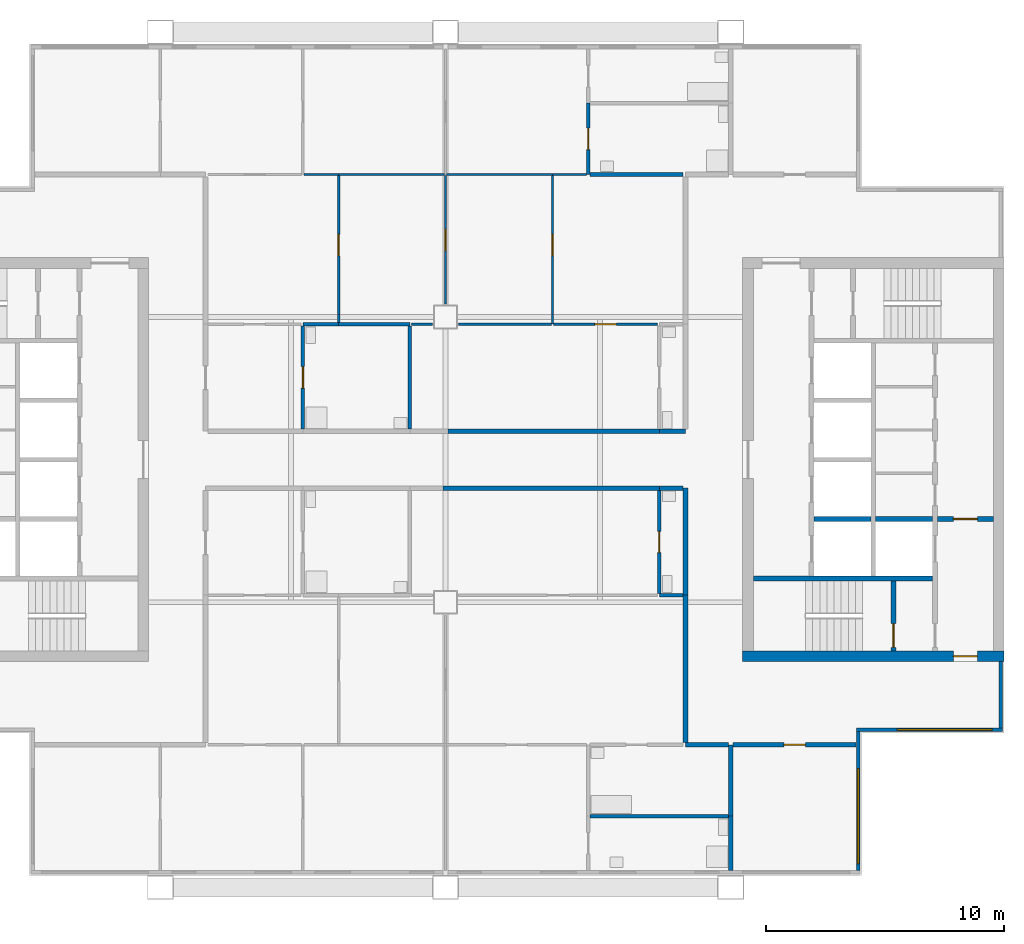
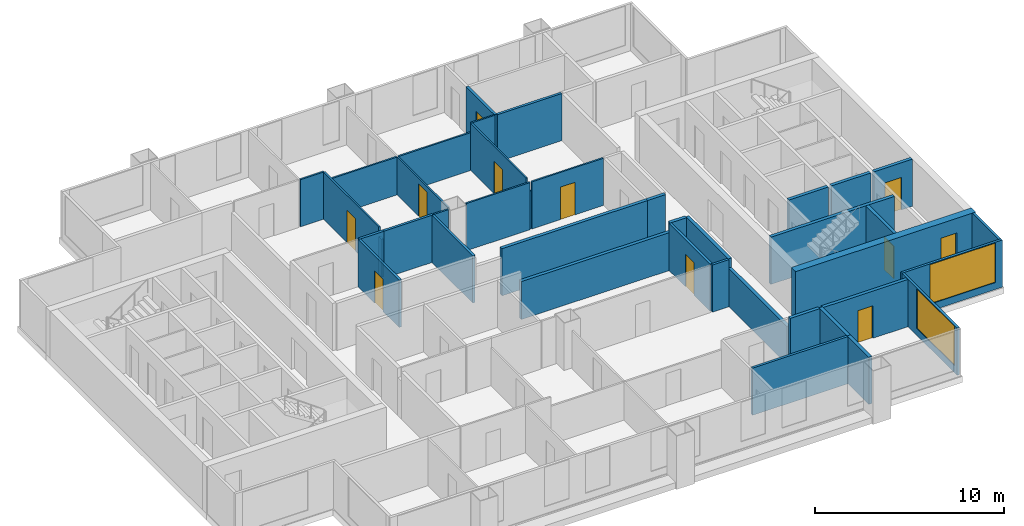
# One storey, part 4 of 8: 40 walls, 11 doors, 2 windows, 13 openings.
"""IFC4 building model written with IfcOpenShell, lengths in metres."""

from ifc_helpers import new_model, si_unit, direction, frame, frame_2d, origin, place, context, subcontext, project, spatial, rectangle, extrude, material, layer, layer_set, type_object, element, fill, save


model = new_model("IFC4")

# Units and contexts
model_context = context("Model", 3, precision=1e-05, world=origin(), true_north=direction((0.0, 1.0)))
body_context = subcontext(model_context, "Body", "Model", "MODEL_VIEW")
ifc_project = project(units=[si_unit("LENGTHUNIT", "METRE"), si_unit("AREAUNIT", "SQUARE_METRE"), si_unit("VOLUMEUNIT", "CUBIC_METRE"), si_unit("PLANEANGLEUNIT", "RADIAN"), si_unit("MASSUNIT", "GRAM", prefix="KILO")], contexts=[model_context])

# Site, building, storey
site_placement = place(None, origin())
site = spatial("IfcSite", under=ifc_project, at=site_placement, CompositionType="ELEMENT")
building_placement = place(site_placement, origin())
building = spatial("IfcBuilding", under=site, at=building_placement, Name="Kitamizu Gate Tower and Museum", CompositionType="ELEMENT")
storey_placement = place(building_placement, frame((0.0, 0.0, 231.75)))
storey = spatial("IfcBuildingStorey", under=building, at=storey_placement, Name="L62", CompositionType="ELEMENT", Elevation=231.75)

# Wall, opening, door
ifc_material_1 = material(Name="Concrete Fc42", Category="concrete")
ifc_layer_1 = layer(ifc_material_1, 0.449951171875)
ifc_layer_set_1 = layer_set([ifc_layer_1], Name="Concrete Fc42")
wall_type_1 = type_object("IfcWallType", Name="Core wall 450", PredefinedType="SHEAR", material=ifc_layer_set_1)
wall_1_placement = place(storey_placement, frame((59.5, 21.72509765625, 0.0), z_axis=(0.0, 0.0, 1.0), x_axis=(-1.0, 0.0, 0.0)))
wall_1 = element("IfcWall", 1, at=wall_1_placement, inside=storey, type_object=wall_type_1, Name="Core wall ES", PredefinedType="SHEAR", context=body_context, shape_type="SweptSolid", body=[
    extrude(rectangle(XDim=11.0, YDim=0.449951171875, at=frame_2d((5.5, 0.0))), origin(), (0.0, 0.0, 1.0), 3.050048828125),
])
opening_1_placement = place(wall_1_placement, frame((1.125, 0.0, 0.0)))
opening_1 = element("IfcOpeningElement", 2, at=opening_1_placement, cuts=wall_1, Name="Opening L62-047", PredefinedType="OPENING", context=body_context, shape_type="SweptSolid", body=[
    extrude(rectangle(XDim=1.0, YDim=2.10009765625, at=frame_2d((0.5, 1.050048828125))), frame((0.0, 0.23486328125, 0.0), z_axis=(0.0, -1.0, 0.0), x_axis=(1.0, 0.0, 0.0)), (0.0, 0.0, 1.0), 0.469970703125),
])
ifc_material_2 = material(Name="Hollow metal door set")
door_type_1 = type_object("IfcDoorType", Name="Fire door 1000", OperationType="NOTDEFINED", PredefinedType="DOOR", material=ifc_material_2)
door_1_placement = place(opening_1_placement, frame((1.0, 0.0, 0.0), x_axis=(-1.0, 0.0, 0.0)))
door_1 = element("IfcDoor", 3, at=door_1_placement, inside=storey, type_object=door_type_1, Name="Fire-fighting lobby door L62-047", OperationType="SINGLE_SWING_LEFT", OverallHeight=2.10009765625, OverallWidth=1.0, PredefinedType="DOOR", context=body_context, shape_type="SweptSolid", body=[
    extrude(rectangle(XDim=1.0, YDim=2.10009765625, at=frame_2d((0.5, 1.050048828125))), frame((0.0, 0.02490234375, 0.0), z_axis=(0.0, -1.0, 0.0), x_axis=(1.0, 0.0, 0.0)), (0.0, 0.0, 1.0), 0.050048828125),
])
fill(opening_1, door_1)

# Walls
ifc_material_3 = material(Name="Gypsum board on galvanised stud")
ifc_layer_2 = layer(ifc_material_3, 0.10009765625)
ifc_layer_set_2 = layer_set([ifc_layer_2], Name="Gypsum board on galvanised stud")
wall_type_2 = type_object("IfcWallType", Name="Partition 100 NOT RATED", PredefinedType="PARTITIONING", material=ifc_layer_set_2)
wall_2_placement = place(storey_placement, frame((30.050048828125, 42.0, 0.0), z_axis=(0.0, 0.0, 1.0), x_axis=(1.0, 0.0, 0.0)))
element("IfcWall", 4, at=wall_2_placement, inside=storey, type_object=wall_type_2, Name="Partition L62-044", PredefinedType="PARTITIONING", context=body_context, shape_type="SweptSolid", body=[
    extrude(rectangle(XDim=1.449951171875, YDim=0.10009765625, at=frame_2d((0.72509765625, 0.0))), origin(), (0.0, 0.0, 1.0), 3.050048828125),
])
for number, where, z_axis, x_axis, name in (
    (5, (31.5, 42.0, 0.0), (0.0, 0.0, 1.0), (1.0, 0.0, 0.0), "Partition L62-045"),
    (6, (36.050048828125, 42.0, 0.0), (0.0, 0.0, 1.0), (1.0, 0.0, 0.0), "Partition L62-048"),
):
    element("IfcWall", number, at=place(storey_placement, frame(where, z_axis=z_axis, x_axis=x_axis)), inside=storey, type_object=wall_type_2, Name=name, PredefinedType="PARTITIONING", context=body_context, shape_type="SweptSolid", body=[
        extrude(rectangle(XDim=4.449951171875, YDim=0.10009765625, at=frame_2d((2.22509765625, 0.0))), origin(), (0.0, 0.0, 1.0), 2.449951171875),
    ])
wall_3_placement = place(storey_placement, frame((40.5, 42.0, 0.0), z_axis=(0.0, 0.0, 1.0), x_axis=(1.0, 0.0, 0.0)))
element("IfcWall", 7, at=wall_3_placement, inside=storey, type_object=wall_type_2, Name="Partition L62-049", PredefinedType="PARTITIONING", context=body_context, shape_type="SweptSolid", body=[
    extrude(rectangle(XDim=1.425048828125, YDim=0.10009765625, at=frame_2d((0.71240234375, 0.0))), origin(), (0.0, 0.0, 1.0), 3.050048828125),
])
wall_4_placement = place(storey_placement, frame((31.5, 35.77490234375, 0.0), z_axis=(0.0, 0.0, 1.0), x_axis=(0.0, 1.0, 0.0)))
element("IfcWall", 8, at=wall_4_placement, inside=storey, type_object=wall_type_2, Name="Partition L62-055", PredefinedType="PARTITIONING", context=body_context, shape_type="SweptSolid", body=[
    extrude(rectangle(XDim=0.3251953125, YDim=0.10009765625, at=frame_2d((0.16259765625, 0.0))), origin(), (0.0, 0.0, 1.0), 2.449951171875),
])

# Wall, opening, door
wall_5_placement = place(storey_placement, frame((31.5, 36.10009765625, 0.0), z_axis=(0.0, 0.0, 1.0), x_axis=(0.0, 1.0, 0.0)))
wall_5 = element("IfcWall", 9, at=wall_5_placement, inside=storey, type_object=wall_type_2, Name="Partition L62-056", PredefinedType="PARTITIONING", context=body_context, shape_type="SweptSolid", body=[
    extrude(rectangle(XDim=5.849853515625, YDim=0.10009765625, at=frame_2d((2.9248046875, 0.0))), origin(), (0.0, 0.0, 1.0), 3.050048828125),
])
opening_2_placement = place(wall_5_placement, frame((2.47509765625, 0.0, 0.0)))
opening_2 = element("IfcOpeningElement", 10, at=opening_2_placement, cuts=wall_5, Name="Opening L62-022", PredefinedType="OPENING", context=body_context, shape_type="SweptSolid", body=[
    extrude(rectangle(XDim=0.89990234375, YDim=2.10009765625, at=frame_2d((0.449951171875, 1.050048828125))), frame((0.0, 0.06005859375, 0.0), z_axis=(0.0, -1.0, 0.0), x_axis=(1.0, 0.0, 0.0)), (0.0, 0.0, 1.0), 0.1201171875),
])
ifc_material_4 = material(Name="Timber door set", Category="wood")
door_type_2 = type_object("IfcDoorType", Name="Room door 900", OperationType="NOTDEFINED", PredefinedType="DOOR", material=ifc_material_4)
door_2_placement = place(opening_2_placement, frame((0.89990234375, 0.0, 0.0), x_axis=(-1.0, 0.0, 0.0)))
door_2 = element("IfcDoor", 11, at=door_2_placement, inside=storey, type_object=door_type_2, Name="Door L62-022", OperationType="SINGLE_SWING_RIGHT", OverallHeight=2.10009765625, OverallWidth=0.89990234375, PredefinedType="DOOR", context=body_context, shape_type="SweptSolid", body=[
    extrude(rectangle(XDim=0.89990234375, YDim=2.10009765625, at=frame_2d((0.449951171875, 1.050048828125))), frame((0.0, 0.02490234375, 0.0), z_axis=(0.0, -1.0, 0.0), x_axis=(1.0, 0.0, 0.0)), (0.0, 0.0, 1.0), 0.050048828125),
])
fill(opening_2, door_2)

wall_6_placement = place(storey_placement, frame((36.0, 36.550048828125, 0.0), z_axis=(0.0, 0.0, 1.0), x_axis=(0.0, 1.0, 0.0)))
wall_6 = element("IfcWall", 12, at=wall_6_placement, inside=storey, type_object=wall_type_2, Name="Partition L62-060", PredefinedType="PARTITIONING", context=body_context, shape_type="SweptSolid", body=[
    extrude(rectangle(XDim=5.39990234375, YDim=0.10009765625, at=frame_2d((2.699951171875, 0.0))), origin(), (0.0, 0.0, 1.0), 2.449951171875),
])
opening_3_placement = place(wall_6_placement, frame((2.25, 0.0, 0.0)))
opening_3 = element("IfcOpeningElement", 13, at=opening_3_placement, cuts=wall_6, Name="Opening L62-023", PredefinedType="OPENING", context=body_context, shape_type="SweptSolid", body=[
    extrude(rectangle(XDim=0.89990234375, YDim=2.10009765625, at=frame_2d((0.449951171875, 1.050048828125))), frame((0.0, 0.06005859375, 0.0), z_axis=(0.0, -1.0, 0.0), x_axis=(1.0, 0.0, 0.0)), (0.0, 0.0, 1.0), 0.1201171875),
])
door_3_placement = place(opening_3_placement, origin())
door_3 = element("IfcDoor", 14, at=door_3_placement, inside=storey, type_object=door_type_2, Name="Door L62-023", OperationType="SINGLE_SWING_RIGHT", OverallHeight=2.10009765625, OverallWidth=0.89990234375, PredefinedType="DOOR", context=body_context, shape_type="SweptSolid", body=[
    extrude(rectangle(XDim=0.89990234375, YDim=2.10009765625, at=frame_2d((0.449951171875, 1.050048828125))), frame((0.0, 0.02490234375, 0.0), z_axis=(0.0, -1.0, 0.0), x_axis=(1.0, 0.0, 0.0)), (0.0, 0.0, 1.0), 0.050048828125),
])
fill(opening_3, door_3)

# Walls
wall_7_placement = place(storey_placement, frame((34.574951171875, 35.699951171875, 0.0), z_axis=(0.0, 0.0, 1.0), x_axis=(1.0, 0.0, 0.0)))
element("IfcWall", 15, at=wall_7_placement, inside=storey, type_object=wall_type_2, Name="Partition L62-062", PredefinedType="PARTITIONING", context=body_context, shape_type="SweptSolid", body=[
    extrude(rectangle(XDim=0.875, YDim=0.10009765625, at=frame_2d((0.4375, 0.0))), origin(), (0.0, 0.0, 1.0), 3.050048828125),
])
wall_8_placement = place(storey_placement, frame((40.5, 35.699951171875, 0.0), z_axis=(0.0, 0.0, 1.0), x_axis=(0.0, 1.0, 0.0)))
element("IfcWall", 16, at=wall_8_placement, inside=storey, type_object=wall_type_2, Name="Partition L62-063", PredefinedType="PARTITIONING", context=body_context, shape_type="SweptSolid", body=[
    extrude(rectangle(XDim=0.400146484375, YDim=0.10009765625, at=frame_2d((0.2001953125, 0.0))), origin(), (0.0, 0.0, 1.0), 2.449951171875),
])

# Wall, opening, door
wall_9_placement = place(storey_placement, frame((40.5, 36.10009765625, 0.0), z_axis=(0.0, 0.0, 1.0), x_axis=(0.0, 1.0, 0.0)))
wall_9 = element("IfcWall", 17, at=wall_9_placement, inside=storey, type_object=wall_type_2, Name="Partition L62-064", PredefinedType="PARTITIONING", context=body_context, shape_type="SweptSolid", body=[
    extrude(rectangle(XDim=5.849853515625, YDim=0.10009765625, at=frame_2d((2.9248046875, 0.0))), origin(), (0.0, 0.0, 1.0), 3.050048828125),
])
opening_4_placement = place(wall_9_placement, frame((2.47509765625, 0.0, 0.0)))
opening_4 = element("IfcOpeningElement", 18, at=opening_4_placement, cuts=wall_9, Name="Opening L62-024", PredefinedType="OPENING", context=body_context, shape_type="SweptSolid", body=[
    extrude(rectangle(XDim=0.89990234375, YDim=2.10009765625, at=frame_2d((0.449951171875, 1.050048828125))), frame((0.0, 0.06005859375, 0.0), z_axis=(0.0, -1.0, 0.0), x_axis=(1.0, 0.0, 0.0)), (0.0, 0.0, 1.0), 0.1201171875),
])
door_4_placement = place(opening_4_placement, origin())
door_4 = element("IfcDoor", 19, at=door_4_placement, inside=storey, type_object=door_type_2, Name="Door L62-024", OperationType="SINGLE_SWING_LEFT", OverallHeight=2.10009765625, OverallWidth=0.89990234375, PredefinedType="DOOR", context=body_context, shape_type="SweptSolid", body=[
    extrude(rectangle(XDim=0.89990234375, YDim=2.10009765625, at=frame_2d((0.449951171875, 1.050048828125))), frame((0.0, 0.02490234375, 0.0), z_axis=(0.0, -1.0, 0.0), x_axis=(1.0, 0.0, 0.0)), (0.0, 0.0, 1.0), 0.050048828125),
])
fill(opening_4, door_4)

# Wall
wall_10_placement = place(storey_placement, frame((36.550048828125, 35.699951171875, 0.0), z_axis=(0.0, 0.0, 1.0), x_axis=(1.0, 0.0, 0.0)))
element("IfcWall", 20, at=wall_10_placement, inside=storey, type_object=wall_type_2, Name="Partition L62-065", PredefinedType="PARTITIONING", context=body_context, shape_type="SweptSolid", body=[
    extrude(rectangle(XDim=3.89990234375, YDim=0.10009765625, at=frame_2d((1.949951171875, 0.0))), origin(), (0.0, 0.0, 1.0), 3.050048828125),
])

# Wall, opening, door
wall_11_placement = place(storey_placement, frame((40.550048828125, 35.699951171875, 0.0), z_axis=(0.0, 0.0, 1.0), x_axis=(1.0, 0.0, 0.0)))
wall_11 = element("IfcWall", 21, at=wall_11_placement, inside=storey, type_object=wall_type_2, Name="Partition L62-066", PredefinedType="PARTITIONING", context=body_context, shape_type="SweptSolid", body=[
    extrude(rectangle(XDim=4.375, YDim=0.10009765625, at=frame_2d((2.1875, 0.0))), origin(), (0.0, 0.0, 1.0), 3.050048828125),
])
opening_5_placement = place(wall_11_placement, frame((1.737548828125, 0.0, 0.0)))
opening_5 = element("IfcOpeningElement", 22, at=opening_5_placement, cuts=wall_11, Name="Opening L62-025", PredefinedType="OPENING", context=body_context, shape_type="SweptSolid", body=[
    extrude(rectangle(XDim=0.89990234375, YDim=2.10009765625, at=frame_2d((0.449951171875, 1.050048828125))), frame((0.0, 0.06005859375, 0.0), z_axis=(0.0, -1.0, 0.0), x_axis=(1.0, 0.0, 0.0)), (0.0, 0.0, 1.0), 0.1201171875),
])
door_5_placement = place(opening_5_placement, origin())
door_5 = element("IfcDoor", 23, at=door_5_placement, inside=storey, type_object=door_type_2, Name="Door L62-025", OperationType="SINGLE_SWING_RIGHT", OverallHeight=2.10009765625, OverallWidth=0.89990234375, PredefinedType="DOOR", context=body_context, shape_type="SweptSolid", body=[
    extrude(rectangle(XDim=0.89990234375, YDim=2.10009765625, at=frame_2d((0.449951171875, 1.050048828125))), frame((0.0, 0.02490234375, 0.0), z_axis=(0.0, -1.0, 0.0), x_axis=(1.0, 0.0, 0.0)), (0.0, 0.0, 1.0), 0.050048828125),
])
fill(opening_5, door_5)

# Walls
ifc_material_5 = material(Name="Gypsum board on galvanised stud")
ifc_layer_3 = layer(ifc_material_5, 0.14990234375)
ifc_layer_set_3 = layer_set([ifc_layer_3], Name="Gypsum board on galvanised stud")
wall_type_3 = type_object("IfcWallType", Name="Partition 150", PredefinedType="PARTITIONING", material=ifc_layer_set_3)
wall_12_placement = place(storey_placement, frame((47.89990234375, 15.0, 0.0), z_axis=(0.0, 0.0, 1.0), x_axis=(-1.0, 0.0, 0.0)))
element("IfcWall", 24, at=wall_12_placement, inside=storey, type_object=wall_type_3, Name="Partition L62-012", PredefinedType="PARTITIONING", context=body_context, shape_type="SweptSolid", body=[
    extrude(rectangle(XDim=5.824951171875, YDim=0.14990234375, at=frame_2d((2.91259765625, 0.0))), origin(), (0.0, 0.0, 1.0), 3.050048828125),
])
wall_13_placement = place(storey_placement, frame((46.0, 24.300048828125, 0.0), z_axis=(0.0, 0.0, 1.0), x_axis=(-1.0, 0.0, 0.0)))
element("IfcWall", 25, at=wall_13_placement, inside=storey, type_object=wall_type_3, Name="Partition L62-026", PredefinedType="PARTITIONING", context=body_context, shape_type="SweptSolid", body=[
    extrude(rectangle(XDim=1.0, YDim=0.14990234375, at=frame_2d((0.5, 0.0))), origin(), (0.0, 0.0, 1.0), 3.050048828125),
])

# Wall, opening, door
wall_14_placement = place(storey_placement, frame((45.0, 24.375, 0.0), z_axis=(0.0, 0.0, 1.0), x_axis=(0.0, 1.0, 0.0)))
wall_14 = element("IfcWall", 26, at=wall_14_placement, inside=storey, type_object=wall_type_3, Name="Partition L62-033", PredefinedType="PARTITIONING", context=body_context, shape_type="SweptSolid", body=[
    extrude(rectangle(XDim=4.324951171875, YDim=0.14990234375, at=frame_2d((2.16259765625, 0.0))), origin(), (0.0, 0.0, 1.0), 3.050048828125),
])
opening_6_placement = place(wall_14_placement, frame((1.71240234375, 0.0, 0.0)))
opening_6 = element("IfcOpeningElement", 27, at=opening_6_placement, cuts=wall_14, Name="Opening L62-013", PredefinedType="OPENING", context=body_context, shape_type="SweptSolid", body=[
    extrude(rectangle(XDim=0.89990234375, YDim=2.10009765625, at=frame_2d((0.449951171875, 1.050048828125))), frame((0.0, 0.0849609375, 0.0), z_axis=(0.0, -1.0, 0.0), x_axis=(1.0, 0.0, 0.0)), (0.0, 0.0, 1.0), 0.169921875),
])
ifc_material_6 = material(Name="Timber door set", Category="wood")
door_type_3 = type_object("IfcDoorType", Name="Bathroom door 900", OperationType="NOTDEFINED", PredefinedType="DOOR", material=ifc_material_6)
door_6_placement = place(opening_6_placement, frame((0.89990234375, 0.0, 0.0), x_axis=(-1.0, 0.0, 0.0)))
door_6 = element("IfcDoor", 28, at=door_6_placement, inside=storey, type_object=door_type_3, Name="Bathroom door L62-013", OperationType="SINGLE_SWING_LEFT", OverallHeight=2.10009765625, OverallWidth=0.89990234375, PredefinedType="DOOR", context=body_context, shape_type="SweptSolid", body=[
    extrude(rectangle(XDim=0.89990234375, YDim=2.10009765625, at=frame_2d((0.449951171875, 1.050048828125))), frame((0.0, 0.02490234375, 0.0), z_axis=(0.0, -1.0, 0.0), x_axis=(1.0, 0.0, 0.0)), (0.0, 0.0, 1.0), 0.050048828125),
])
fill(opening_6, door_6)

wall_15_placement = place(storey_placement, frame((42.0, 42.0, 0.0), z_axis=(0.0, 0.0, 1.0), x_axis=(0.0, 1.0, 0.0)))
wall_15 = element("IfcWall", 29, at=wall_15_placement, inside=storey, type_object=wall_type_3, Name="Partition L62-046", PredefinedType="PARTITIONING", context=body_context, shape_type="SweptSolid", body=[
    extrude(rectangle(XDim=3.0, YDim=0.14990234375, at=frame_2d((1.5, 0.0))), origin(), (0.0, 0.0, 1.0), 3.050048828125),
])
opening_7_placement = place(wall_15_placement, frame((1.050048828125, 0.0, 0.0)))
opening_7 = element("IfcOpeningElement", 30, at=opening_7_placement, cuts=wall_15, Name="Opening L62-020", PredefinedType="OPENING", context=body_context, shape_type="SweptSolid", body=[
    extrude(rectangle(XDim=0.89990234375, YDim=2.10009765625, at=frame_2d((0.449951171875, 1.050048828125))), frame((0.0, 0.0849609375, 0.0), z_axis=(0.0, -1.0, 0.0), x_axis=(1.0, 0.0, 0.0)), (0.0, 0.0, 1.0), 0.169921875),
])
door_7_placement = place(opening_7_placement, frame((0.89990234375, 0.0, 0.0), x_axis=(-1.0, 0.0, 0.0)))
door_7 = element("IfcDoor", 31, at=door_7_placement, inside=storey, type_object=door_type_3, Name="Bathroom door L62-020", OperationType="SINGLE_SWING_RIGHT", OverallHeight=2.10009765625, OverallWidth=0.89990234375, PredefinedType="DOOR", context=body_context, shape_type="SweptSolid", body=[
    extrude(rectangle(XDim=0.89990234375, YDim=2.10009765625, at=frame_2d((0.449951171875, 1.050048828125))), frame((0.0, 0.02490234375, 0.0), z_axis=(0.0, -1.0, 0.0), x_axis=(1.0, 0.0, 0.0)), (0.0, 0.0, 1.0), 0.050048828125),
])
fill(opening_7, door_7)

# Walls
wall_16_placement = place(storey_placement, frame((42.074951171875, 42.0, 0.0), z_axis=(0.0, 0.0, 1.0), x_axis=(1.0, 0.0, 0.0)))
element("IfcWall", 32, at=wall_16_placement, inside=storey, type_object=wall_type_3, Name="Partition L62-051", PredefinedType="PARTITIONING", context=body_context, shape_type="SweptSolid", body=[
    extrude(rectangle(XDim=3.925048828125, YDim=0.14990234375, at=frame_2d((1.96240234375, 0.0))), origin(), (0.0, 0.0, 1.0), 3.050048828125),
])
wall_17_placement = place(storey_placement, frame((30.0, 35.699951171875, 0.0), z_axis=(0.0, 0.0, 1.0), x_axis=(1.0, 0.0, 0.0)))
element("IfcWall", 33, at=wall_17_placement, inside=storey, type_object=wall_type_3, Name="Partition L62-058", PredefinedType="PARTITIONING", context=body_context, shape_type="SweptSolid", body=[
    extrude(rectangle(XDim=1.5, YDim=0.14990234375, at=frame_2d((0.75, 0.0))), origin(), (0.0, 0.0, 1.0), 3.050048828125),
])
wall_18_placement = place(storey_placement, frame((31.5, 35.699951171875, 0.0), z_axis=(0.0, 0.0, 1.0), x_axis=(1.0, 0.0, 0.0)))
element("IfcWall", 34, at=wall_18_placement, inside=storey, type_object=wall_type_3, Name="Partition L62-061", PredefinedType="PARTITIONING", context=body_context, shape_type="SweptSolid", body=[
    extrude(rectangle(XDim=3.0, YDim=0.14990234375, at=frame_2d((1.5, 0.0))), origin(), (0.0, 0.0, 1.0), 3.050048828125),
])

# Wall, opening, door
wall_19_placement = place(storey_placement, frame((30.0, 31.300048828125, 0.0), z_axis=(0.0, 0.0, 1.0), x_axis=(0.0, 1.0, 0.0)))
wall_19 = element("IfcWall", 35, at=wall_19_placement, inside=storey, type_object=wall_type_3, Name="Partition L62-070", PredefinedType="PARTITIONING", context=body_context, shape_type="SweptSolid", body=[
    extrude(rectangle(XDim=4.324951171875, YDim=0.14990234375, at=frame_2d((2.16259765625, 0.0))), origin(), (0.0, 0.0, 1.0), 3.050048828125),
])
opening_8_placement = place(wall_19_placement, frame((1.71240234375, 0.0, 0.0)))
opening_8 = element("IfcOpeningElement", 36, at=opening_8_placement, cuts=wall_19, Name="Opening L62-015", PredefinedType="OPENING", context=body_context, shape_type="SweptSolid", body=[
    extrude(rectangle(XDim=0.89990234375, YDim=2.10009765625, at=frame_2d((0.449951171875, 1.050048828125))), frame((0.0, 0.0849609375, 0.0), z_axis=(0.0, -1.0, 0.0), x_axis=(1.0, 0.0, 0.0)), (0.0, 0.0, 1.0), 0.169921875),
])
door_8_placement = place(opening_8_placement, frame((0.89990234375, 0.0, 0.0), x_axis=(-1.0, 0.0, 0.0)))
door_8 = element("IfcDoor", 37, at=door_8_placement, inside=storey, type_object=door_type_3, Name="Bathroom door L62-015", OperationType="SINGLE_SWING_LEFT", OverallHeight=2.10009765625, OverallWidth=0.89990234375, PredefinedType="DOOR", context=body_context, shape_type="SweptSolid", body=[
    extrude(rectangle(XDim=0.89990234375, YDim=2.10009765625, at=frame_2d((0.449951171875, 1.050048828125))), frame((0.0, 0.02490234375, 0.0), z_axis=(0.0, -1.0, 0.0), x_axis=(1.0, 0.0, 0.0)), (0.0, 0.0, 1.0), 0.050048828125),
])
fill(opening_8, door_8)

# Walls
wall_20_placement = place(storey_placement, frame((34.5, 31.300048828125, 0.0), z_axis=(0.0, 0.0, 1.0), x_axis=(0.0, 1.0, 0.0)))
element("IfcWall", 38, at=wall_20_placement, inside=storey, type_object=wall_type_3, Name="Partition L62-073", PredefinedType="PARTITIONING", context=body_context, shape_type="SweptSolid", body=[
    extrude(rectangle(XDim=4.324951171875, YDim=0.14990234375, at=frame_2d((2.16259765625, 0.0))), origin(), (0.0, 0.0, 1.0), 3.050048828125),
])
ifc_material_7 = material(Name="Gypsum board on galvanised stud")
ifc_layer_4 = layer(ifc_material_7, 0.199951171875)
ifc_layer_set_4 = layer_set([ifc_layer_4], Name="Gypsum board on galvanised stud")
wall_type_4 = type_object("IfcWallType", Name="Partition 200", PredefinedType="PARTITIONING", material=ifc_layer_set_4)
wall_21_placement = place(storey_placement, frame((48.0, 12.719970703125, 0.0), z_axis=(0.0, 0.0, 1.0), x_axis=(0.0, 1.0, 0.0)))
element("IfcWall", 39, at=wall_21_placement, inside=storey, type_object=wall_type_4, Name="Partition L62-013", PredefinedType="PARTITIONING", context=body_context, shape_type="SweptSolid", body=[
    extrude(rectangle(XDim=2.280029296875, YDim=0.199951171875, at=frame_2d((1.14013671875, 0.0))), origin(), (0.0, 0.0, 1.0), 3.050048828125),
])
wall_22_placement = place(storey_placement, frame((48.0, 15.0, 0.0), z_axis=(0.0, 0.0, 1.0), x_axis=(0.0, 1.0, 0.0)))
element("IfcWall", 40, at=wall_22_placement, inside=storey, type_object=wall_type_4, Name="Partition L62-015", PredefinedType="PARTITIONING", context=body_context, shape_type="SweptSolid", body=[
    extrude(rectangle(XDim=3.0, YDim=0.199951171875, at=frame_2d((1.5, 0.0))), origin(), (0.0, 0.0, 1.0), 3.050048828125),
])
wall_23_placement = place(storey_placement, frame((47.89990234375, 18.0, 0.0), z_axis=(0.0, 0.0, 1.0), x_axis=(-1.0, 0.0, 0.0)))
element("IfcWall", 41, at=wall_23_placement, inside=storey, type_object=wall_type_4, Name="Partition L62-016", PredefinedType="PARTITIONING", context=body_context, shape_type="SweptSolid", body=[
    extrude(rectangle(XDim=1.7998046875, YDim=0.199951171875, at=frame_2d((0.89990234375, 0.0))), origin(), (0.0, 0.0, 1.0), 3.050048828125),
])
wall_24_placement = place(storey_placement, frame((46.10009765625, 18.10009765625, 0.0), z_axis=(0.0, 0.0, 1.0), x_axis=(0.0, 1.0, 0.0)))
element("IfcWall", 42, at=wall_24_placement, inside=storey, type_object=wall_type_4, Name="Partition L62-027", PredefinedType="PARTITIONING", context=body_context, shape_type="SweptSolid", body=[
    extrude(rectangle(XDim=6.199951171875, YDim=0.199951171875, at=frame_2d((3.10009765625, 0.0))), origin(), (0.0, 0.0, 1.0), 2.449951171875),
])
wall_25_placement = place(storey_placement, frame((45.0, 28.800048828125, 0.0), z_axis=(0.0, 0.0, 1.0), x_axis=(-1.0, 0.0, 0.0)))
element("IfcWall", 43, at=wall_25_placement, inside=storey, type_object=wall_type_4, Name="Partition L62-034", PredefinedType="PARTITIONING", context=body_context, shape_type="SweptSolid", body=[
    extrude(rectangle(XDim=9.10009765625, YDim=0.199951171875, at=frame_2d((4.550048828125, 0.0))), origin(), (0.0, 0.0, 1.0), 2.449951171875),
])
wall_26_placement = place(storey_placement, frame((46.10009765625, 24.300048828125, 0.0), z_axis=(0.0, 0.0, 1.0), x_axis=(0.0, 1.0, 0.0)))
element("IfcWall", 44, at=wall_26_placement, inside=storey, type_object=wall_type_4, Name="Partition L62-036", PredefinedType="PARTITIONING", context=body_context, shape_type="SweptSolid", body=[
    extrude(rectangle(XDim=4.5, YDim=0.199951171875, at=frame_2d((2.25, 0.0))), origin(), (0.0, 0.0, 1.0), 3.050048828125),
])
wall_27_placement = place(storey_placement, frame((46.0, 28.800048828125, 0.0), z_axis=(0.0, 0.0, 1.0), x_axis=(-1.0, 0.0, 0.0)))
element("IfcWall", 45, at=wall_27_placement, inside=storey, type_object=wall_type_4, Name="Partition L62-037", PredefinedType="PARTITIONING", context=body_context, shape_type="SweptSolid", body=[
    extrude(rectangle(XDim=1.0, YDim=0.199951171875, at=frame_2d((0.5, 0.0))), origin(), (0.0, 0.0, 1.0), 3.050048828125),
])
wall_28_placement = place(storey_placement, frame((36.10009765625, 31.199951171875, 0.0), z_axis=(0.0, 0.0, 1.0), x_axis=(1.0, 0.0, 0.0)))
element("IfcWall", 46, at=wall_28_placement, inside=storey, type_object=wall_type_4, Name="Partition L62-077", PredefinedType="PARTITIONING", context=body_context, shape_type="SweptSolid", body=[
    extrude(rectangle(XDim=8.89990234375, YDim=0.199951171875, at=frame_2d((4.449951171875, 0.0))), origin(), (0.0, 0.0, 1.0), 3.050048828125),
])
wall_29_placement = place(storey_placement, frame((45.0, 31.199951171875, 0.0), z_axis=(0.0, 0.0, 1.0), x_axis=(1.0, 0.0, 0.0)))
element("IfcWall", 47, at=wall_29_placement, inside=storey, type_object=wall_type_4, Name="Partition L62-078", PredefinedType="PARTITIONING", context=body_context, shape_type="SweptSolid", body=[
    extrude(rectangle(XDim=1.10009765625, YDim=0.199951171875, at=frame_2d((0.550048828125, 0.0))), origin(), (0.0, 0.0, 1.0), 3.050048828125),
])

# Wall, opening, door
wall_30_placement = place(storey_placement, frame((53.280029296875, 18.0, 0.0), z_axis=(0.0, 0.0, 1.0), x_axis=(-1.0, 0.0, 0.0)))
wall_30 = element("IfcWall", 48, at=wall_30_placement, inside=storey, type_object=wall_type_4, Name="Partition L62-080", PredefinedType="PARTITIONING", context=body_context, shape_type="SweptSolid", body=[
    extrude(rectangle(XDim=5.179931640625, YDim=0.199951171875, at=frame_2d((2.58984375, 0.0))), origin(), (0.0, 0.0, 1.0), 3.050048828125),
])
opening_9_placement = place(wall_30_placement, frame((2.139892578125, 0.0, 0.0)))
opening_9 = element("IfcOpeningElement", 49, at=opening_9_placement, cuts=wall_30, Name="Opening L62-028", PredefinedType="OPENING", context=body_context, shape_type="SweptSolid", body=[
    extrude(rectangle(XDim=0.89990234375, YDim=2.10009765625, at=frame_2d((0.449951171875, 1.050048828125))), frame((0.0, 0.10986328125, 0.0), z_axis=(0.0, -1.0, 0.0), x_axis=(1.0, 0.0, 0.0)), (0.0, 0.0, 1.0), 0.219970703125),
])
door_9_placement = place(opening_9_placement, origin())
door_9 = element("IfcDoor", 50, at=door_9_placement, inside=storey, type_object=door_type_2, Name="Door L62-028", OperationType="SINGLE_SWING_LEFT", OverallHeight=2.10009765625, OverallWidth=0.89990234375, PredefinedType="DOOR", context=body_context, shape_type="SweptSolid", body=[
    extrude(rectangle(XDim=0.89990234375, YDim=2.10009765625, at=frame_2d((0.449951171875, 1.050048828125))), frame((0.0, 0.02490234375, 0.0), z_axis=(0.0, -1.0, 0.0), x_axis=(1.0, 0.0, 0.0)), (0.0, 0.0, 1.0), 0.050048828125),
])
fill(opening_9, door_9)

# Wall
ifc_material_8 = material(Name="Concrete Fc42", Category="concrete")
ifc_layer_5 = layer(ifc_material_8, 0.199951171875)
ifc_layer_set_5 = layer_set([ifc_layer_5], Name="Concrete Fc42")
wall_type_5 = type_object("IfcWallType", Name="Shaft wall 200", PredefinedType="SOLIDWALL", material=ifc_layer_set_5)
wall_31_placement = place(storey_placement, frame((56.5, 25.0, 0.0), z_axis=(0.0, 0.0, 1.0), x_axis=(-1.0, 0.0, 0.0)))
element("IfcWall", 51, at=wall_31_placement, inside=storey, type_object=wall_type_5, Name="Shaft wall ESB", PredefinedType="SOLIDWALL", context=body_context, shape_type="SweptSolid", body=[
    extrude(rectangle(XDim=7.550048828125, YDim=0.199951171875, at=frame_2d((3.77490234375, 0.0))), origin(), (0.0, 0.0, 1.0), 3.050048828125),
])

# Wall, opening, door
wall_32_placement = place(storey_placement, frame((59.050048828125, 27.5, 0.0), z_axis=(0.0, 0.0, 1.0), x_axis=(-1.0, 0.0, 0.0)))
wall_32 = element("IfcWall", 52, at=wall_32_placement, inside=storey, type_object=wall_type_5, Name="Shaft wall EFFN", PredefinedType="SOLIDWALL", context=body_context, shape_type="SweptSolid", body=[
    extrude(rectangle(XDim=2.35009765625, YDim=0.199951171875, at=frame_2d((1.175048828125, 0.0))), origin(), (0.0, 0.0, 1.0), 3.050048828125),
])
opening_10_placement = place(wall_32_placement, frame((0.675048828125, 0.0, 0.0)))
opening_10 = element("IfcOpeningElement", 53, at=opening_10_placement, cuts=wall_32, Name="Opening L62-046", PredefinedType="OPENING", context=body_context, shape_type="SweptSolid", body=[
    extrude(rectangle(XDim=1.0, YDim=2.10009765625, at=frame_2d((0.5, 1.050048828125))), frame((0.0, 0.10986328125, 0.0), z_axis=(0.0, -1.0, 0.0), x_axis=(1.0, 0.0, 0.0)), (0.0, 0.0, 1.0), 0.219970703125),
])
door_10_placement = place(opening_10_placement, origin())
door_10 = element("IfcDoor", 54, at=door_10_placement, inside=storey, type_object=door_type_1, Name="Fire-fighting lobby door L62-046", OperationType="SINGLE_SWING_LEFT", OverallHeight=2.10009765625, OverallWidth=1.0, PredefinedType="DOOR", context=body_context, shape_type="SweptSolid", body=[
    extrude(rectangle(XDim=1.0, YDim=2.10009765625, at=frame_2d((0.5, 1.050048828125))), frame((0.0, 0.02490234375, 0.0), z_axis=(0.0, -1.0, 0.0), x_axis=(1.0, 0.0, 0.0)), (0.0, 0.0, 1.0), 0.050048828125),
])
fill(opening_10, door_10)

wall_33_placement = place(storey_placement, frame((54.85009765625, 21.949951171875, 0.0), z_axis=(0.0, 0.0, 1.0), x_axis=(0.0, 1.0, 0.0)))
wall_33 = element("IfcWall", 55, at=wall_33_placement, inside=storey, type_object=wall_type_5, Name="Shaft wall ESZ", PredefinedType="SOLIDWALL", context=body_context, shape_type="SweptSolid", body=[
    extrude(rectangle(XDim=2.949951171875, YDim=0.199951171875, at=frame_2d((1.47509765625, 0.0))), origin(), (0.0, 0.0, 1.0), 3.050048828125),
])
opening_11_placement = place(wall_33_placement, frame((0.14990234375, 0.0, 0.0)))
opening_11 = element("IfcOpeningElement", 56, at=opening_11_placement, cuts=wall_33, Name="Opening L62-042", PredefinedType="OPENING", context=body_context, shape_type="SweptSolid", body=[
    extrude(rectangle(XDim=1.0, YDim=2.10009765625, at=frame_2d((0.5, 1.050048828125))), frame((0.0, 0.10986328125, 0.0), z_axis=(0.0, -1.0, 0.0), x_axis=(1.0, 0.0, 0.0)), (0.0, 0.0, 1.0), 0.219970703125),
])
door_11_placement = place(opening_11_placement, origin())
door_11 = element("IfcDoor", 57, at=door_11_placement, inside=storey, type_object=door_type_1, Name="Stair door L62-042", OperationType="SINGLE_SWING_RIGHT", OverallHeight=2.10009765625, OverallWidth=1.0, PredefinedType="DOOR", context=body_context, shape_type="SweptSolid", body=[
    extrude(rectangle(XDim=1.0, YDim=2.10009765625, at=frame_2d((0.5, 1.050048828125))), frame((0.0, 0.02490234375, 0.0), z_axis=(0.0, -1.0, 0.0), x_axis=(1.0, 0.0, 0.0)), (0.0, 0.0, 1.0), 0.050048828125),
])
fill(opening_11, door_11)

# Walls
for number, where, z_axis, x_axis, name in (
    (58, (56.5, 27.5, 0.0), (0.0, 0.0, 1.0), (-1.0, 0.0, 0.0), "Shaft wall EDVW0"),
    (59, (53.89990234375, 27.5, 0.0), (0.0, 0.0, 1.0), (-1.0, 0.0, 0.0), "Shaft wall EDVE0"),
):
    element("IfcWall", number, at=place(storey_placement, frame(where, z_axis=z_axis, x_axis=x_axis)), inside=storey, type_object=wall_type_5, Name=name, PredefinedType="SOLIDWALL", context=body_context, shape_type="SweptSolid", body=[
        extrude(rectangle(XDim=2.39990234375, YDim=0.199951171875, at=frame_2d((1.199951171875, 0.0))), origin(), (0.0, 0.0, 1.0), 3.050048828125),
    ])

# Wall, opening, window
ifc_material_9 = material(Name="Bronze anodised aluminium frame with insulated spandrel and tinted glass", Category="aluminium")
ifc_layer_6 = layer(ifc_material_9, 0.14990234375)
ifc_layer_set_6 = layer_set([ifc_layer_6], Name="Bronze anodised aluminium frame with insulated spandrel and tinted glass")
wall_type_6 = type_object("IfcWallType", Name="WINDOW WALL 150 BRONZE FRAME EI 30", PredefinedType="ELEMENTEDWALL", material=ifc_layer_set_6)
wall_34_placement = place(storey_placement, frame((53.364990234375, 12.7099609375, 0.0), z_axis=(0.0, 0.0, 1.0), x_axis=(0.0, 1.0, 0.0)))
wall_34 = element("IfcWall", 60, at=wall_34_placement, inside=storey, type_object=wall_type_6, Name="Window wall east L62", PredefinedType="ELEMENTEDWALL", context=body_context, shape_type="SweptSolid", body=[
    extrude(rectangle(XDim=5.85009765625, YDim=0.14990234375, at=frame_2d((2.925048828125, 0.0))), origin(), (0.0, 0.0, 1.0), 3.050048828125),
])
opening_12_placement = place(wall_34_placement, frame((0.2900390625, 0.0, 0.449951171875)))
opening_12 = element("IfcOpeningElement", 61, at=opening_12_placement, cuts=wall_34, Name="Opening W16", PredefinedType="OPENING", context=body_context, shape_type="SweptSolid", body=[
    extrude(rectangle(XDim=4.0, YDim=2.550048828125, at=frame_2d((2.0, 1.27490234375))), frame((0.0, 0.0849609375, 0.0), z_axis=(0.0, -1.0, 0.0), x_axis=(1.0, 0.0, 0.0)), (0.0, 0.0, 1.0), 0.169921875),
])
ifc_material_10 = material(Name="Bronze anodised aluminium frame, tinted triple glazing", Category="aluminium")
window_type = type_object("IfcWindowType", Name="WINDOW 4000 x 2550 SILL 450", PartitioningType="SINGLE_PANEL", PredefinedType="WINDOW", material=ifc_material_10)
window_1_placement = place(opening_12_placement, origin())
window_1 = element("IfcWindow", 62, at=window_1_placement, inside=storey, type_object=window_type, Name="Window W16 L62", OverallHeight=2.550048828125, OverallWidth=4.0, PartitioningType="SINGLE_PANEL", PredefinedType="WINDOW", context=body_context, shape_type="SweptSolid", body=[
    extrude(rectangle(XDim=4.0, YDim=2.550048828125, at=frame_2d((2.0, 1.27490234375))), frame((0.0, 0.030029296875, 0.0), z_axis=(0.0, -1.0, 0.0), x_axis=(1.0, 0.0, 0.0)), (0.0, 0.0, 1.0), 0.06005859375),
])
fill(opening_12, window_1)

wall_35_placement = place(storey_placement, frame((53.2900390625, 18.635009765625, 0.0), z_axis=(0.0, 0.0, 1.0), x_axis=(1.0, 0.0, 0.0)))
wall_35 = element("IfcWall", 63, at=wall_35_placement, inside=storey, type_object=wall_type_6, Name="Window wall south L62", PredefinedType="ELEMENTEDWALL", context=body_context, shape_type="SweptSolid", body=[
    extrude(rectangle(XDim=6.14990234375, YDim=0.14990234375, at=frame_2d((3.074951171875, 0.0))), origin(), (0.0, 0.0, 1.0), 3.050048828125),
])
opening_13_placement = place(wall_35_placement, frame((1.7099609375, 0.0, 0.449951171875)))
opening_13 = element("IfcOpeningElement", 64, at=opening_13_placement, cuts=wall_35, Name="Opening W16", PredefinedType="OPENING", context=body_context, shape_type="SweptSolid", body=[
    extrude(rectangle(XDim=4.0, YDim=2.550048828125, at=frame_2d((2.0, 1.27490234375))), frame((0.0, 0.0849609375, 0.0), z_axis=(0.0, -1.0, 0.0), x_axis=(1.0, 0.0, 0.0)), (0.0, 0.0, 1.0), 0.169921875),
])
window_2_placement = place(opening_13_placement, origin())
window_2 = element("IfcWindow", 65, at=window_2_placement, inside=storey, type_object=window_type, Name="Window W16 L62", OverallHeight=2.550048828125, OverallWidth=4.0, PartitioningType="SINGLE_PANEL", PredefinedType="WINDOW", context=body_context, shape_type="SweptSolid", body=[
    extrude(rectangle(XDim=4.0, YDim=2.550048828125, at=frame_2d((2.0, 1.27490234375))), frame((0.0, 0.030029296875, 0.0), z_axis=(0.0, -1.0, 0.0), x_axis=(1.0, 0.0, 0.0)), (0.0, 0.0, 1.0), 0.06005859375),
])
fill(opening_13, window_2)

# Wall
wall_36_placement = place(storey_placement, frame((59.364990234375, 18.7099609375, 0.0), z_axis=(0.0, 0.0, 1.0), x_axis=(0.0, 1.0, 0.0)))
element("IfcWall", 66, at=wall_36_placement, inside=storey, type_object=wall_type_6, Name="Window wall east L62", PredefinedType="ELEMENTEDWALL", context=body_context, shape_type="SweptSolid", body=[
    extrude(rectangle(XDim=2.7900390625, YDim=0.14990234375, at=frame_2d((1.39501953125, 0.0))), origin(), (0.0, 0.0, 1.0), 3.050048828125),
])

save(model, "model.ifc")
